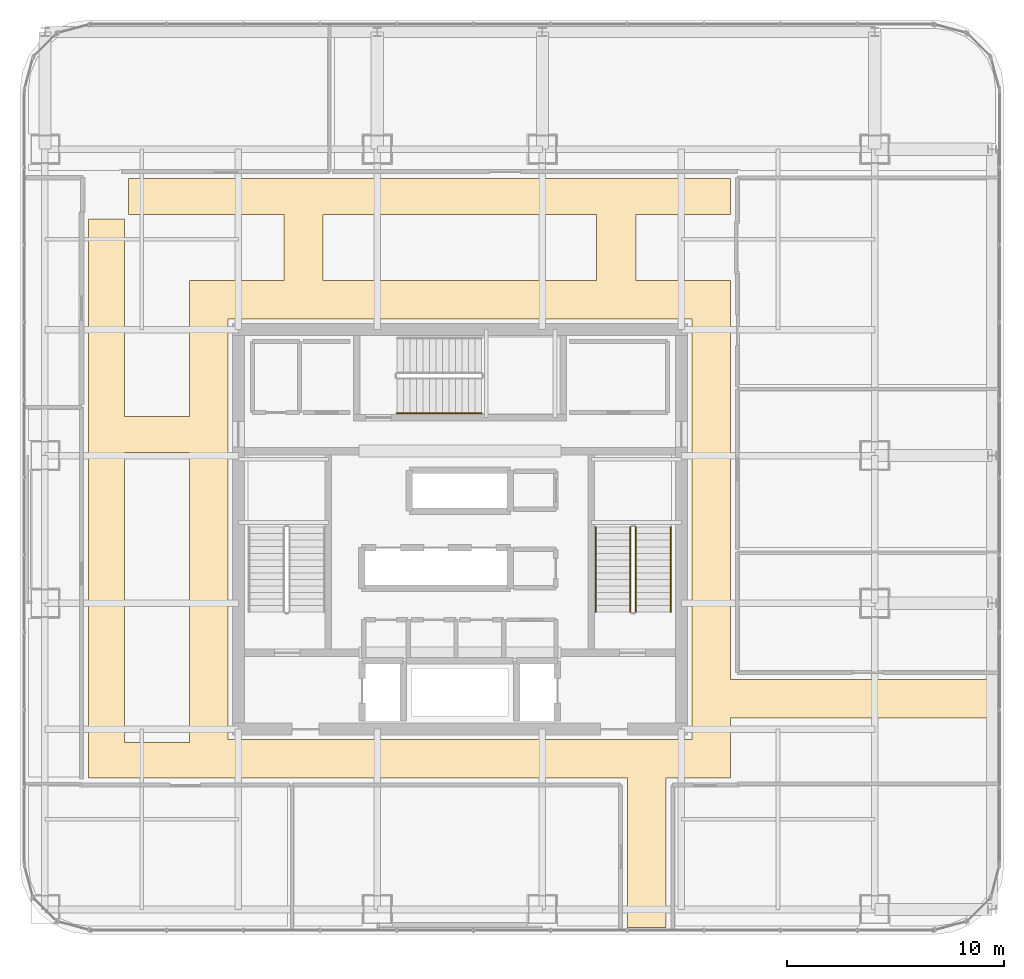
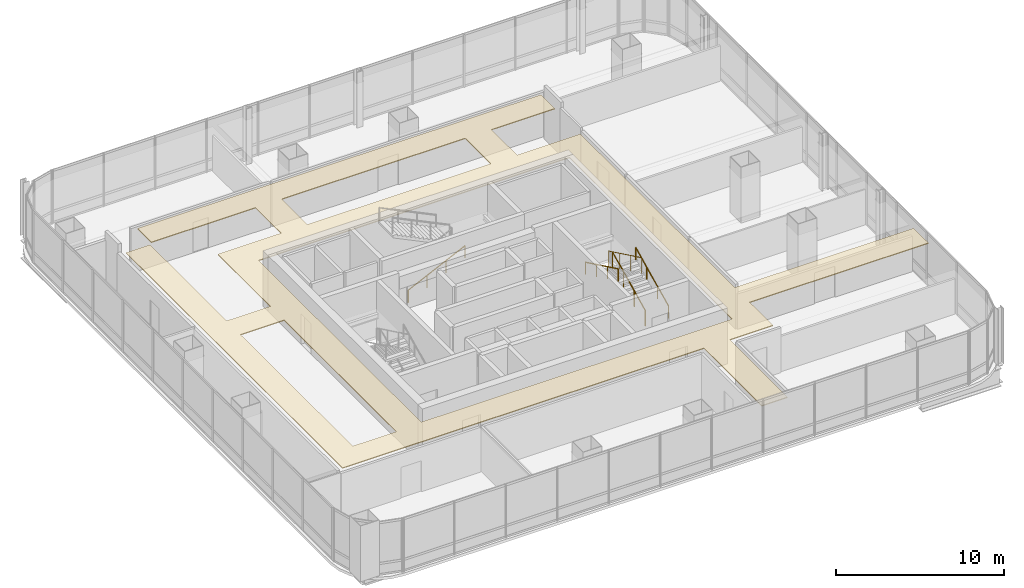
# One storey, part 40 of 42: 5 railings, 1 covering.
"""IFC4 building model written with IfcOpenShell, lengths in metres."""

from ifc_helpers import new_model, si_unit, direction, frame, origin, origin_2d, place, context, subcontext, project, spatial, polyline, circle, outline, extrude, material, layer, layer_set, type_object, element, save


model = new_model("IFC4")

# Units and contexts
model_context = context("Model", 3, precision=1e-05, world=origin(), true_north=direction((0.0, 1.0)))
body_context = subcontext(model_context, "Body", "Model", "MODEL_VIEW")
ifc_project = project(units=[si_unit("LENGTHUNIT", "METRE"), si_unit("AREAUNIT", "SQUARE_METRE"), si_unit("VOLUMEUNIT", "CUBIC_METRE"), si_unit("PLANEANGLEUNIT", "RADIAN"), si_unit("MASSUNIT", "GRAM", prefix="KILO")], contexts=[model_context])

# Site, building, storey
site_placement = place(None, origin())
site = spatial("IfcSite", under=ifc_project, at=site_placement, CompositionType="ELEMENT")
building_placement = place(site_placement, origin())
building = spatial("IfcBuilding", under=site, at=building_placement, Name="Punatoya Terracotta Tower", CompositionType="ELEMENT")
storey_placement = place(building_placement, frame((0.0, 0.0, 255.449951171875)))
storey = spatial("IfcBuildingStorey", under=building, at=storey_placement, Name="L60", CompositionType="ELEMENT", Elevation=255.449951171875)

# Covering
ifc_material_1 = material(Name="Acoustic Mineral Fibre Ceiling")
ifc_layer = layer(ifc_material_1, 0.06005859375)
ifc_layer_set = layer_set([ifc_layer], Name="Acoustic Mineral Fibre Ceiling")
covering_type = type_object("IfcCoveringType", Name="COV-CEIL-60", PredefinedType="CEILING", material=ifc_layer_set)
covering_placement = place(storey_placement, frame((0.0, 0.0, 3.239990234375)))
element("IfcCovering", 1, at=covering_placement, inside=storey, type_object=covering_type, Name="L60 Loop Circulation Corridor Acoustic Ceiling", PredefinedType="CEILING", context=body_context, shape_type="SweptSolid", body=[
    extrude(outline(polyline([(9.47998046875, -11.449951171875), (12.449951171875, -11.449951171875), (12.449951171875, -8.679931640625), (24.72998046875, -8.679931640625), (24.72998046875, -6.919921875), (12.449951171875, -6.919921875), (12.449951171875, 11.449951171875), (8.10009765625, 11.449951171875), (8.10009765625, 14.5), (12.449951171875, 14.5), (12.449951171875, 16.14990234375), (-15.25, 16.14990234375), (-15.25, 14.5), (-8.10009765625, 14.5), (-8.10009765625, 11.449951171875), (-12.449951171875, 11.449951171875), (-12.449951171875, 5.199951171875), (-15.449951171875, 5.199951171875), (-15.449951171875, 14.300048828125), (-17.10009765625, 14.300048828125), (-17.10009765625, -11.449951171875), (7.719970703125, -11.449951171875), (7.719970703125, -18.330078125), (9.47998046875, -18.330078125), (9.47998046875, -11.449951171875)]), holes=[polyline([(10.679931640625, 9.679931640625), (10.679931640625, -9.679931640625), (-10.679931640625, -9.679931640625), (-10.679931640625, 9.679931640625), (10.679931640625, 9.679931640625)]), polyline([(6.300048828125, 14.5), (6.300048828125, 11.449951171875), (-6.300048828125, 11.449951171875), (-6.300048828125, 14.5), (6.300048828125, 14.5)]), polyline([(-12.449951171875, 3.550048828125), (-12.449951171875, -9.800048828125), (-15.449951171875, -9.800048828125), (-15.449951171875, 3.550048828125), (-12.449951171875, 3.550048828125)])]), origin(), (0.0, 0.0, 1.0), 0.06005859375),
])

# Railings
ifc_material_2 = material(Name="Steel S355", Category="steel")
railing_type_1 = type_object("IfcRailingType", Name="RLG-GRD-1150", PredefinedType="GUARDRAIL", material=ifc_material_2)
railing_1_placement = place(storey_placement, frame((8.10009765625, -3.800048828125, 0.144775390625)))
element("IfcRailing", 2, at=railing_1_placement, inside=storey, type_object=railing_type_1, Name="L60 ST-2 stair guard 1", PredefinedType="GUARDRAIL", context=body_context, shape_type="SweptSolid", body=[
    extrude(circle(Radius=0.02392578125, at=origin_2d()), frame((0.0, 0.0, 1.1259765625), z_axis=(0.0, 0.900773802044, 0.434288564841), x_axis=(-1.0, 0.0, 0.0)), (0.0, 0.0, 1.0), 4.329833984375),
    extrude(circle(Radius=0.02099609375, at=origin_2d()), origin(), (0.0, 0.0, 1.0), 1.101806640625),
    extrude(circle(Radius=0.02099609375, at=origin_2d()), frame((0.0, 1.300048828125, 0.626708984375)), (0.0, 0.0, 1.0), 1.101806640625),
    extrude(circle(Radius=0.02099609375, at=origin_2d()), frame((0.0, 2.60009765625, 1.253662109375)), (0.0, 0.0, 1.0), 1.101806640625),
    extrude(circle(Radius=0.02099609375, at=origin_2d()), frame((0.0, 3.900146484375, 1.88037109375)), (0.0, 0.0, 1.0), 1.101806640625),
])
railing_2_placement = place(storey_placement, frame((7.85009765625, 0.10009765625, 2.169677734375)))
element("IfcRailing", 3, at=railing_2_placement, inside=storey, type_object=railing_type_1, Name="L60 ST-2 stair guard 3", PredefinedType="GUARDRAIL", context=body_context, shape_type="SweptSolid", body=[
    extrude(circle(Radius=0.02392578125, at=origin_2d()), frame((0.0, 0.0, 1.1259765625), z_axis=(0.0, -0.900773802044, 0.434288564841), x_axis=(1.0, 0.0, 0.0)), (0.0, 0.0, 1.0), 4.329833984375),
    extrude(circle(Radius=0.02099609375, at=origin_2d()), origin(), (0.0, 0.0, 1.0), 1.101806640625),
    extrude(circle(Radius=0.02099609375, at=origin_2d()), frame((0.0, -1.300048828125, 0.626708984375)), (0.0, 0.0, 1.0), 1.101806640625),
    extrude(circle(Radius=0.02099609375, at=origin_2d()), frame((0.0, -2.60009765625, 1.253662109375)), (0.0, 0.0, 1.0), 1.101806640625),
    extrude(circle(Radius=0.02099609375, at=origin_2d()), frame((0.0, -3.900146484375, 1.88037109375)), (0.0, 0.0, 1.0), 1.101806640625),
])
railing_type_2 = type_object("IfcRailingType", Name="RLG-HND-900", PredefinedType="HANDRAIL", material=ifc_material_2)
railing_3_placement = place(storey_placement, frame((9.699951171875, -3.800048828125, 0.144775390625)))
element("IfcRailing", 4, at=railing_3_placement, inside=storey, type_object=railing_type_2, Name="L60 ST-2 stair handrail 1", PredefinedType="HANDRAIL", context=body_context, shape_type="SweptSolid", body=[
    extrude(circle(Radius=0.02392578125, at=origin_2d()), frame((0.0, 0.0, 0.8759765625), z_axis=(0.0, 0.900773802044, 0.434288564841), x_axis=(-1.0, 0.0, 0.0)), (0.0, 0.0, 1.0), 4.329833984375),
    extrude(circle(Radius=0.02099609375, at=origin_2d()), origin(), (0.0, 0.0, 1.0), 0.851806640625),
    extrude(circle(Radius=0.02099609375, at=origin_2d()), frame((0.0, 1.300048828125, 0.626708984375)), (0.0, 0.0, 1.0), 0.851806640625),
    extrude(circle(Radius=0.02099609375, at=origin_2d()), frame((0.0, 2.60009765625, 1.253662109375)), (0.0, 0.0, 1.0), 0.851806640625),
    extrude(circle(Radius=0.02099609375, at=origin_2d()), frame((0.0, 3.900146484375, 1.88037109375)), (0.0, 0.0, 1.0), 0.851806640625),
])
railing_4_placement = place(storey_placement, frame((6.25, 0.10009765625, 2.169677734375)))
element("IfcRailing", 5, at=railing_4_placement, inside=storey, type_object=railing_type_2, Name="L60 ST-2 stair handrail 2", PredefinedType="HANDRAIL", context=body_context, shape_type="SweptSolid", body=[
    extrude(circle(Radius=0.02392578125, at=origin_2d()), frame((0.0, 0.0, 0.8759765625), z_axis=(0.0, -0.900773802044, 0.434288564841), x_axis=(1.0, 0.0, 0.0)), (0.0, 0.0, 1.0), 4.329833984375),
    extrude(circle(Radius=0.02099609375, at=origin_2d()), origin(), (0.0, 0.0, 1.0), 0.851806640625),
    extrude(circle(Radius=0.02099609375, at=origin_2d()), frame((0.0, -1.300048828125, 0.626708984375)), (0.0, 0.0, 1.0), 0.851806640625),
    extrude(circle(Radius=0.02099609375, at=origin_2d()), frame((0.0, -2.60009765625, 1.253662109375)), (0.0, 0.0, 1.0), 0.851806640625),
    extrude(circle(Radius=0.02099609375, at=origin_2d()), frame((0.0, -3.900146484375, 1.88037109375)), (0.0, 0.0, 1.0), 0.851806640625),
])
railing_5_placement = place(storey_placement, frame((-2.89990234375, 5.35009765625, 0.144775390625)))
element("IfcRailing", 6, at=railing_5_placement, inside=storey, type_object=railing_type_2, Name="L60 ST-3 stair handrail 1", PredefinedType="HANDRAIL", context=body_context, shape_type="SweptSolid", body=[
    extrude(circle(Radius=0.02392578125, at=origin_2d()), frame((0.0, 0.0, 0.8759765625), z_axis=(0.900763166376, 0.0, 0.434310623978), x_axis=(0.0, 1.0, 0.0)), (0.0, 0.0, 1.0), 4.32958984375),
    extrude(circle(Radius=0.02099609375, at=origin_2d()), origin(), (0.0, 0.0, 1.0), 0.851806640625),
    extrude(circle(Radius=0.02099609375, at=origin_2d()), frame((1.300048828125, 0.0, 0.626708984375)), (0.0, 0.0, 1.0), 0.851806640625),
    extrude(circle(Radius=0.02099609375, at=origin_2d()), frame((2.599853515625, 0.0, 1.253662109375)), (0.0, 0.0, 1.0), 0.851806640625),
    extrude(circle(Radius=0.02099609375, at=origin_2d()), frame((3.89990234375, 0.0, 1.88037109375)), (0.0, 0.0, 1.0), 0.851806640625),
])

save(model, "model.ifc")
